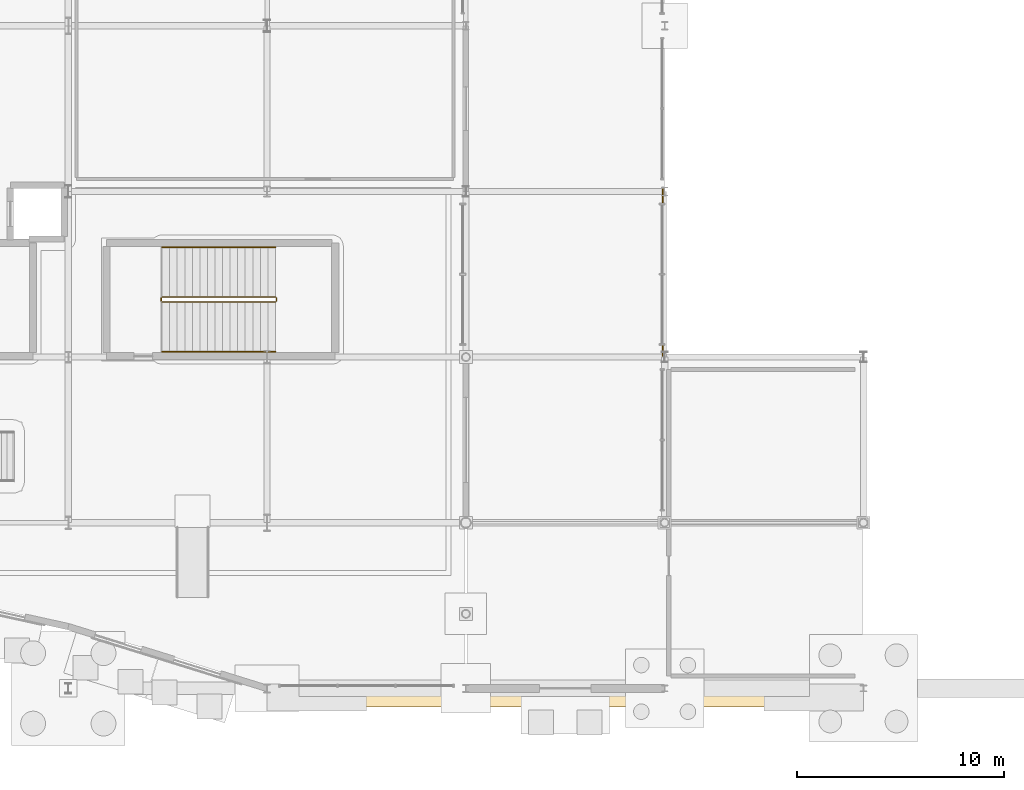
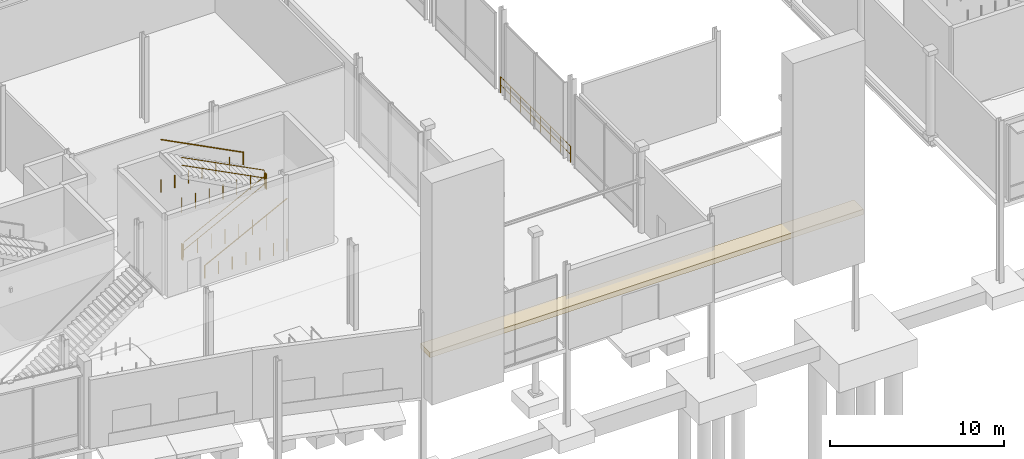
# One storey, part 110 of 124: 7 railings, 1 covering.
"""IFC4 building model written with IfcOpenShell, lengths in metres."""

from ifc_helpers import new_model, si_unit, direction, frame, origin, origin_2d, place, context, subcontext, project, spatial, rectangle, circle, extrude, material, layer, layer_set, type_object, element, save


model = new_model("IFC4")

# Units and contexts
model_context = context("Model", 3, precision=1e-05, world=origin(), true_north=direction((0.0, 1.0)))
body_context = subcontext(model_context, "Body", "Model", "MODEL_VIEW")
ifc_project = project(units=[si_unit("LENGTHUNIT", "METRE"), si_unit("AREAUNIT", "SQUARE_METRE"), si_unit("VOLUMEUNIT", "CUBIC_METRE"), si_unit("PLANEANGLEUNIT", "RADIAN"), si_unit("MASSUNIT", "GRAM", prefix="KILO")], contexts=[model_context])

# Site, building, storey
site_placement = place(None, origin())
site = spatial("IfcSite", under=ifc_project, at=site_placement, CompositionType="ELEMENT")
building_placement = place(site_placement, origin())
building = spatial("IfcBuilding", under=site, at=building_placement, Name="Danafjord Basin Convention Centre", CompositionType="ELEMENT")
storey_placement = place(building_placement, origin())
storey = spatial("IfcBuildingStorey", under=building, at=storey_placement, Name="L00", CompositionType="ELEMENT", Elevation=0.0)

# Covering
ifc_material_1 = material(Name="Architectural white precast concrete C45/55", Category="concrete")
ifc_layer = layer(ifc_material_1, 0.419921875)
ifc_layer_set = layer_set([ifc_layer], Name="Architectural white precast concrete C45/55")
covering_type = type_object("IfcCoveringType", Name="COV-ARCH-PORTAL", PredefinedType="CLADDING", material=ifc_layer_set)
covering_placement = place(storey_placement, frame((120.0, -0.35009765625, 3.2197265625), z_axis=(0.0, 0.0, 1.0), x_axis=(1.0, 0.0, 0.0)))
element("IfcCovering", 1, at=covering_placement, inside=storey, type_object=covering_type, Name="Main entrance glazed arch springing transom beam casing", PredefinedType="CLADDING", context=body_context, shape_type="SweptSolid", body=[
    extrude(rectangle(XDim=28.800048828125, YDim=1.10009765625, at=origin_2d()), origin(), (0.0, 0.0, 1.0), 0.360107421875),
])

# Railings
ifc_material_2 = material(Name="Galvanised and powder-coated steel S355", Category="steel")
railing_type_1 = type_object("IfcRailingType", Name="RL-BAL-STL", PredefinedType="BALUSTRADE", material=ifc_material_2)
railing_1_placement = place(storey_placement, frame((124.719970703125, 16.050048828125, 0.0)))
element("IfcRailing", 2, at=railing_1_placement, inside=storey, type_object=railing_type_1, Name="L00 vehicle ramp well safety balustrade", PredefinedType="BALUSTRADE", context=body_context, shape_type="SweptSolid", body=[
    extrude(circle(Radius=0.02392578125, at=origin_2d()), frame((0.0, 0.0, 1.1259765625), z_axis=(0.0, 1.0, 0.0), x_axis=(-1.0, 0.0, 0.0)), (0.0, 0.0, 1.0), 8.050048828125),
    extrude(circle(Radius=0.02392578125, at=origin_2d()), frame((0.0, 0.0, 0.55078125), z_axis=(0.0, 1.0, 0.0), x_axis=(-1.0, 0.0, 0.0)), (0.0, 0.0, 1.0), 8.050048828125),
    extrude(circle(Radius=0.02099609375, at=origin_2d()), origin(), (0.0, 0.0, 1.0), 1.099853515625),
    extrude(circle(Radius=0.02099609375, at=origin_2d()), frame((0.0, 1.14990234375, 0.0)), (0.0, 0.0, 1.0), 1.099853515625),
    extrude(circle(Radius=0.02099609375, at=origin_2d()), frame((0.0, 2.300048828125, 0.0)), (0.0, 0.0, 1.0), 1.099853515625),
    extrude(circle(Radius=0.02099609375, at=origin_2d()), frame((0.0, 3.449951171875, 0.0)), (0.0, 0.0, 1.0), 1.099853515625),
    extrude(circle(Radius=0.02099609375, at=origin_2d()), frame((0.0, 4.60009765625, 0.0)), (0.0, 0.0, 1.0), 1.099853515625),
    extrude(circle(Radius=0.02099609375, at=origin_2d()), frame((0.0, 5.75, 0.0)), (0.0, 0.0, 1.0), 1.099853515625),
    extrude(circle(Radius=0.02099609375, at=origin_2d()), frame((0.0, 6.900146484375, 0.0)), (0.0, 0.0, 1.0), 1.099853515625),
    extrude(circle(Radius=0.02099609375, at=origin_2d()), frame((0.0, 8.050048828125, 0.0)), (0.0, 0.0, 1.0), 1.099853515625),
])
ifc_material_3 = material(Name="Galvanised steel S355", Category="steel")
railing_type_2 = type_object("IfcRailingType", Name="RL-GD-WELL", PredefinedType="BALUSTRADE", material=ifc_material_3)
railing_2_placement = place(storey_placement, frame((100.530029296875, 18.659912109375, 0.1875)))
element("IfcRailing", 3, at=railing_2_placement, inside=storey, type_object=railing_type_2, Name="L00 ST-04 stair guard 1", PredefinedType="BALUSTRADE", context=body_context, shape_type="SweptSolid", body=[
    extrude(circle(Radius=0.02392578125, at=origin_2d()), frame((0.0, 0.0, 1.076171875), z_axis=(0.889495128042, 0.0, 0.456944654405), x_axis=(0.0, 1.0, 0.0)), (0.0, 0.0, 1.0), 6.155029296875),
    extrude(circle(Radius=0.02392578125, at=origin_2d()), frame((0.0, 0.0, 0.52587890625), z_axis=(0.889495128042, 0.0, 0.456944654405), x_axis=(0.0, 1.0, 0.0)), (0.0, 0.0, 1.0), 6.155029296875),
    extrude(circle(Radius=0.02099609375, at=origin_2d()), origin(), (0.0, 0.0, 1.0), 1.050048828125),
    extrude(circle(Radius=0.02099609375, at=origin_2d()), frame((0.91259765625, 0.0, 0.0)), (0.0, 0.0, 1.0), 1.050048828125),
    extrude(circle(Radius=0.02099609375, at=origin_2d()), frame((1.824951171875, 0.0, 0.0)), (0.0, 0.0, 1.0), 1.050048828125),
    extrude(circle(Radius=0.02099609375, at=origin_2d()), frame((2.7373046875, 0.0, 0.0)), (0.0, 0.0, 1.0), 1.050048828125),
    extrude(circle(Radius=0.02099609375, at=origin_2d()), frame((3.64990234375, 0.0, 0.0)), (0.0, 0.0, 1.0), 1.050048828125),
    extrude(circle(Radius=0.02099609375, at=origin_2d()), frame((4.5625, 0.0, 0.0)), (0.0, 0.0, 1.0), 1.050048828125),
    extrude(circle(Radius=0.02099609375, at=origin_2d()), frame((5.474853515625, 0.0, 0.0)), (0.0, 0.0, 1.0), 1.050048828125),
])
railing_3_placement = place(storey_placement, frame((106.054931640625, 18.7099609375, 3.0)))
element("IfcRailing", 4, at=railing_3_placement, inside=storey, type_object=railing_type_2, Name="L00 ST-04 stair guard 2", PredefinedType="BALUSTRADE", context=body_context, shape_type="SweptSolid", body=[
    extrude(circle(Radius=0.02392578125, at=origin_2d()), frame((0.0, 0.0, 1.076171875), z_axis=(0.0, 1.0, 0.0), x_axis=(-1.0, 0.0, 0.0)), (0.0, 0.0, 1.0), 0.14013671875),
    extrude(circle(Radius=0.02392578125, at=origin_2d()), frame((0.0, 0.0, 0.52587890625), z_axis=(0.0, 1.0, 0.0), x_axis=(-1.0, 0.0, 0.0)), (0.0, 0.0, 1.0), 0.14013671875),
    extrude(circle(Radius=0.02099609375, at=origin_2d()), origin(), (0.0, 0.0, 1.0), 1.050048828125),
    extrude(circle(Radius=0.02099609375, at=origin_2d()), frame((0.0, 0.14013671875, 0.0)), (0.0, 0.0, 1.0), 1.050048828125),
])
railing_4_placement = place(storey_placement, frame((106.0048828125, 18.89990234375, 3.1875)))
element("IfcRailing", 5, at=railing_4_placement, inside=storey, type_object=railing_type_2, Name="L00 ST-04 stair guard 3", PredefinedType="BALUSTRADE", context=body_context, shape_type="SweptSolid", body=[
    extrude(circle(Radius=0.02392578125, at=origin_2d()), frame((0.0, 0.0, 1.076171875), z_axis=(-0.889495128042, 0.0, 0.456944654405), x_axis=(0.0, -1.0, 0.0)), (0.0, 0.0, 1.0), 6.155029296875),
    extrude(circle(Radius=0.02392578125, at=origin_2d()), frame((0.0, 0.0, 0.52587890625), z_axis=(-0.889495128042, 0.0, 0.456944654405), x_axis=(0.0, -1.0, 0.0)), (0.0, 0.0, 1.0), 6.155029296875),
    extrude(circle(Radius=0.02099609375, at=origin_2d()), origin(), (0.0, 0.0, 1.0), 1.050048828125),
    extrude(circle(Radius=0.02099609375, at=origin_2d()), frame((-0.91259765625, 0.0, 0.0)), (0.0, 0.0, 1.0), 1.050048828125),
    extrude(circle(Radius=0.02099609375, at=origin_2d()), frame((-1.824951171875, 0.0, 0.0)), (0.0, 0.0, 1.0), 1.050048828125),
    extrude(circle(Radius=0.02099609375, at=origin_2d()), frame((-2.7373046875, 0.0, 0.0)), (0.0, 0.0, 1.0), 1.050048828125),
    extrude(circle(Radius=0.02099609375, at=origin_2d()), frame((-3.64990234375, 0.0, 0.0)), (0.0, 0.0, 1.0), 1.050048828125),
    extrude(circle(Radius=0.02099609375, at=origin_2d()), frame((-4.5625, 0.0, 0.0)), (0.0, 0.0, 1.0), 1.050048828125),
    extrude(circle(Radius=0.02099609375, at=origin_2d()), frame((-5.474853515625, 0.0, 0.0)), (0.0, 0.0, 1.0), 1.050048828125),
])
railing_5_placement = place(storey_placement, frame((100.47998046875, 18.7099609375, 0.0)))
element("IfcRailing", 6, at=railing_5_placement, inside=storey, type_object=railing_type_2, Name="L00 ST-04 stair guard 4", PredefinedType="BALUSTRADE", context=body_context, shape_type="SweptSolid", body=[
    extrude(circle(Radius=0.02392578125, at=origin_2d()), frame((0.0, 0.0, 1.076171875), z_axis=(0.0, 1.0, 0.0), x_axis=(-1.0, 0.0, 0.0)), (0.0, 0.0, 1.0), 0.14013671875),
    extrude(circle(Radius=0.02392578125, at=origin_2d()), frame((0.0, 0.0, 0.52587890625), z_axis=(0.0, 1.0, 0.0), x_axis=(-1.0, 0.0, 0.0)), (0.0, 0.0, 1.0), 0.14013671875),
    extrude(circle(Radius=0.02099609375, at=origin_2d()), origin(), (0.0, 0.0, 1.0), 1.050048828125),
    extrude(circle(Radius=0.02099609375, at=origin_2d()), frame((0.0, 0.14013671875, 0.0)), (0.0, 0.0, 1.0), 1.050048828125),
])
ifc_material_4 = material(Name="Brushed stainless steel EN 1.4404", Category="steel")
railing_type_3 = type_object("IfcRailingType", Name="RL-HR-STAIR", PredefinedType="HANDRAIL", material=ifc_material_4)
railing_6_placement = place(storey_placement, frame((100.530029296875, 16.260009765625, 0.1875)))
element("IfcRailing", 7, at=railing_6_placement, inside=storey, type_object=railing_type_3, Name="L00 ST-04 stair handrail 1", PredefinedType="HANDRAIL", context=body_context, shape_type="SweptSolid", body=[
    extrude(circle(Radius=0.02392578125, at=origin_2d()), frame((0.0, 0.0, 0.8759765625), z_axis=(0.889495128042, 0.0, 0.456944654405), x_axis=(0.0, 1.0, 0.0)), (0.0, 0.0, 1.0), 6.155029296875),
    extrude(circle(Radius=0.02099609375, at=origin_2d()), origin(), (0.0, 0.0, 1.0), 0.849853515625),
    extrude(circle(Radius=0.02099609375, at=origin_2d()), frame((0.91259765625, 0.0, 0.0)), (0.0, 0.0, 1.0), 0.849853515625),
    extrude(circle(Radius=0.02099609375, at=origin_2d()), frame((1.824951171875, 0.0, 0.0)), (0.0, 0.0, 1.0), 0.849853515625),
    extrude(circle(Radius=0.02099609375, at=origin_2d()), frame((2.7373046875, 0.0, 0.0)), (0.0, 0.0, 1.0), 0.849853515625),
    extrude(circle(Radius=0.02099609375, at=origin_2d()), frame((3.64990234375, 0.0, 0.0)), (0.0, 0.0, 1.0), 0.849853515625),
    extrude(circle(Radius=0.02099609375, at=origin_2d()), frame((4.5625, 0.0, 0.0)), (0.0, 0.0, 1.0), 0.849853515625),
    extrude(circle(Radius=0.02099609375, at=origin_2d()), frame((5.474853515625, 0.0, 0.0)), (0.0, 0.0, 1.0), 0.849853515625),
])
railing_7_placement = place(storey_placement, frame((106.0048828125, 21.300048828125, 3.1875)))
element("IfcRailing", 8, at=railing_7_placement, inside=storey, type_object=railing_type_3, Name="L00 ST-04 stair handrail 2", PredefinedType="HANDRAIL", context=body_context, shape_type="SweptSolid", body=[
    extrude(circle(Radius=0.02392578125, at=origin_2d()), frame((0.0, 0.0, 0.8759765625), z_axis=(-0.889495128042, 0.0, 0.456944654405), x_axis=(0.0, -1.0, 0.0)), (0.0, 0.0, 1.0), 6.155029296875),
    extrude(circle(Radius=0.02099609375, at=origin_2d()), origin(), (0.0, 0.0, 1.0), 0.849853515625),
    extrude(circle(Radius=0.02099609375, at=origin_2d()), frame((-0.91259765625, 0.0, 0.0)), (0.0, 0.0, 1.0), 0.849853515625),
    extrude(circle(Radius=0.02099609375, at=origin_2d()), frame((-1.824951171875, 0.0, 0.0)), (0.0, 0.0, 1.0), 0.849853515625),
    extrude(circle(Radius=0.02099609375, at=origin_2d()), frame((-2.7373046875, 0.0, 0.0)), (0.0, 0.0, 1.0), 0.849853515625),
    extrude(circle(Radius=0.02099609375, at=origin_2d()), frame((-3.64990234375, 0.0, 0.0)), (0.0, 0.0, 1.0), 0.849853515625),
    extrude(circle(Radius=0.02099609375, at=origin_2d()), frame((-4.5625, 0.0, 0.0)), (0.0, 0.0, 1.0), 0.849853515625),
    extrude(circle(Radius=0.02099609375, at=origin_2d()), frame((-5.474853515625, 0.0, 0.0)), (0.0, 0.0, 1.0), 0.849853515625),
])

save(model, "model.ifc")
